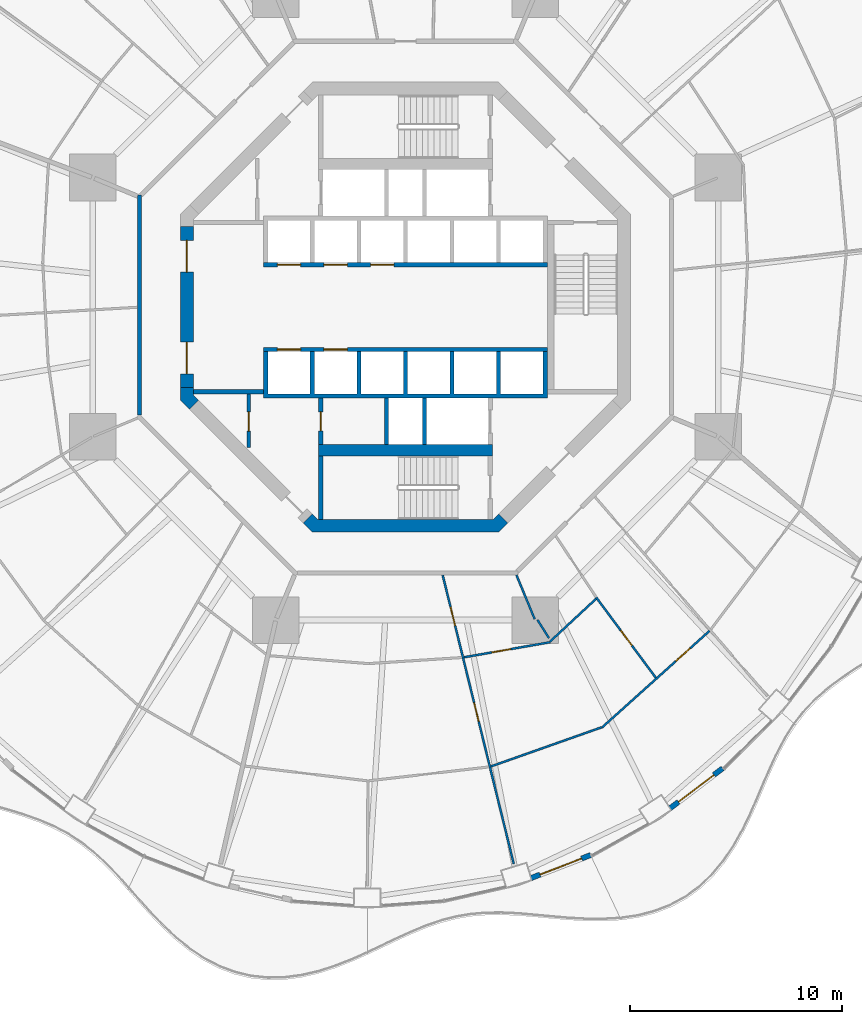
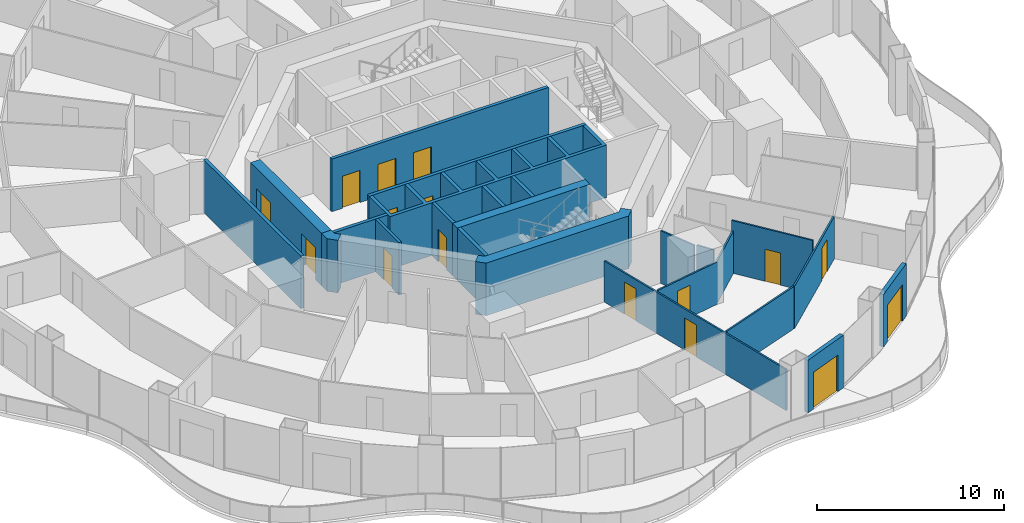
# One storey, part 15 of 22: 24 walls, 16 doors, 16 openings.
"""IFC4 building model written with IfcOpenShell, lengths in metres."""

from ifc_helpers import new_model, si_unit, direction, frame, frame_2d, origin, place, context, subcontext, project, spatial, polyline, rectangle, outline, extrude, material, layer, layer_set, type_object, element, fill, save


model = new_model("IFC4")

# Units and contexts
model_context = context("Model", 3, precision=1e-05, world=origin(), true_north=direction((0.0, 1.0)))
body_context = subcontext(model_context, "Body", "Model", "MODEL_VIEW")
ifc_project = project(units=[si_unit("LENGTHUNIT", "METRE"), si_unit("AREAUNIT", "SQUARE_METRE"), si_unit("VOLUMEUNIT", "CUBIC_METRE"), si_unit("PLANEANGLEUNIT", "RADIAN"), si_unit("MASSUNIT", "GRAM", prefix="KILO")], contexts=[model_context])

# Site, building, storey
site_placement = place(None, origin())
site = spatial("IfcSite", under=ifc_project, at=site_placement, CompositionType="ELEMENT")
building_placement = place(site_placement, origin())
building = spatial("IfcBuilding", under=site, at=building_placement, Name="Nagisa Residences", CompositionType="ELEMENT")
storey_placement = place(building_placement, frame((0.0, 0.0, 95.5)))
storey = spatial("IfcBuildingStorey", under=building, at=storey_placement, Name="L23", CompositionType="ELEMENT", Elevation=95.5)

# Wall
ifc_material_1 = material(Name="Gypsum board on steel studs", Category="steel")
ifc_layer_1 = layer(ifc_material_1, 0.199951171875)
ifc_layer_set_1 = layer_set([ifc_layer_1], Name="Apartment entry wall EI60 200")
wall_type_1 = type_object("IfcWallType", Name="Apartment entry wall EI60 200", PredefinedType="PARTITIONING", material=ifc_layer_set_1)
wall_1_placement = place(storey_placement, frame((-12.564697265625, 5.304443359375, 0.0), z_axis=(0.0, 0.0, 1.0), x_axis=(0.0, -1.0, 0.0)))
element("IfcWall", 1, at=wall_1_placement, inside=storey, type_object=wall_type_1, Name="wall:L23:u14", PredefinedType="PARTITIONING", context=body_context, shape_type="SweptSolid", body=[
    extrude(rectangle(XDim=10.408935546875, YDim=0.199951171875, at=frame_2d((5.20458984375, 0.0))), origin(), (0.0, 0.0, 1.0), 3.43994140625),
])

# Wall, openings, doors
ifc_material_2 = material(Name="Gypsum board on steel studs", Category="steel")
ifc_layer_2 = layer(ifc_material_2, 0.10009765625)
ifc_layer_set_2 = layer_set([ifc_layer_2], Name="Apartment partition 100")
wall_type_2 = type_object("IfcWallType", Name="Apartment partition 100", PredefinedType="PARTITIONING", material=ifc_layer_set_2)
wall_2_placement = place(storey_placement, frame((1.7587890625, -12.661865234375, 0.0), z_axis=(0.0, 0.0, 1.0), x_axis=(0.239021819854, -0.971014196412, 0.0)))
wall_2 = element("IfcWall", 2, at=wall_2_placement, inside=storey, type_object=wall_type_2, Name="wall:L23:u77", PredefinedType="PARTITIONING", context=body_context, shape_type="SweptSolid", body=[
    extrude(rectangle(XDim=14.049560546875, YDim=0.10009765625, at=frame_2d((7.02490234375, 0.0))), origin(), (0.0, 0.0, 1.0), 2.68701171875),
])
opening_1_placement = place(wall_2_placement, frame((6.213623046875, 0.0, 0.0)))
opening_1 = element("IfcOpeningElement", 3, at=opening_1_placement, cuts=wall_2, Name="Opening L23-U23", PredefinedType="OPENING", context=body_context, shape_type="SweptSolid", body=[
    extrude(rectangle(XDim=0.89990234375, YDim=2.10009765625, at=frame_2d((0.449951171875, 1.050048828125))), frame((0.0, 0.06005859375, 0.0), z_axis=(0.0, -1.0, 0.0), x_axis=(1.0, 0.0, 0.0)), (0.0, 0.0, 1.0), 0.1201171875),
])
opening_2_placement = place(wall_2_placement, frame((1.552001953125, 0.0, 0.0)))
opening_2 = element("IfcOpeningElement", 4, at=opening_2_placement, cuts=wall_2, Name="Opening L23-U27", PredefinedType="OPENING", context=body_context, shape_type="SweptSolid", body=[
    extrude(rectangle(XDim=0.89990234375, YDim=2.10009765625, at=frame_2d((0.449951171875, 1.050048828125))), frame((0.0, 0.06005859375, 0.0), z_axis=(0.0, -1.0, 0.0), x_axis=(1.0, 0.0, 0.0)), (0.0, 0.0, 1.0), 0.1201171875),
])
ifc_material_3 = material(Name="Timber door set", Category="wood")
door_type_1 = type_object("IfcDoorType", Name="Apartment door 900x2100", OperationType="NOTDEFINED", PredefinedType="DOOR", material=ifc_material_3)
door_1_placement = place(opening_1_placement, frame((0.89990234375, 0.0, 0.0), x_axis=(-1.0, 0.0, 0.0)))
door_1 = element("IfcDoor", 5, at=door_1_placement, inside=storey, type_object=door_type_1, Name="Door to dining room, Apartment 23B", OperationType="SINGLE_SWING_RIGHT", OverallHeight=2.10009765625, OverallWidth=0.89990234375, PredefinedType="DOOR", context=body_context, shape_type="SweptSolid", body=[
    extrude(rectangle(XDim=0.89990234375, YDim=2.10009765625, at=frame_2d((0.449951171875, 1.050048828125))), frame((0.0, 0.02490234375, 0.0), z_axis=(0.0, -1.0, 0.0), x_axis=(1.0, 0.0, 0.0)), (0.0, 0.0, 1.0), 0.050048828125),
])
fill(opening_1, door_1)
door_2_placement = place(opening_2_placement, frame((0.89990234375, 0.0, 0.0), x_axis=(-1.0, 0.0, 0.0)))
door_2 = element("IfcDoor", 6, at=door_2_placement, inside=storey, type_object=door_type_1, Name="Door to store, Apartment 23B", OperationType="SINGLE_SWING_RIGHT", OverallHeight=2.10009765625, OverallWidth=0.89990234375, PredefinedType="DOOR", context=body_context, shape_type="SweptSolid", body=[
    extrude(rectangle(XDim=0.89990234375, YDim=2.10009765625, at=frame_2d((0.449951171875, 1.050048828125))), frame((0.0, 0.02490234375, 0.0), z_axis=(0.0, -1.0, 0.0), x_axis=(1.0, 0.0, 0.0)), (0.0, 0.0, 1.0), 0.050048828125),
])
fill(opening_2, door_2)

# Wall, opening, door
wall_3_placement = place(storey_placement, frame((2.76513671875, -16.541015625, 0.0), z_axis=(0.0, 0.0, 1.0), x_axis=(0.984998612286, 0.172562260633, 0.0)))
wall_3 = element("IfcWall", 7, at=wall_3_placement, inside=storey, type_object=wall_type_2, Name="wall:L23:u78", PredefinedType="PARTITIONING", context=body_context, shape_type="SweptSolid", body=[
    extrude(rectangle(XDim=4.134033203125, YDim=0.10009765625, at=frame_2d((2.06689453125, 0.0))), origin(), (0.0, 0.0, 1.0), 2.761962890625),
])
opening_3_placement = place(wall_3_placement, frame((1.343505859375, 0.0, 0.0)))
opening_3 = element("IfcOpeningElement", 8, at=opening_3_placement, cuts=wall_3, Name="Opening L23-U22", PredefinedType="OPENING", context=body_context, shape_type="SweptSolid", body=[
    extrude(rectangle(XDim=0.89990234375, YDim=2.10009765625, at=frame_2d((0.449951171875, 1.050048828125))), frame((0.0, 0.06005859375, 0.0), z_axis=(0.0, -1.0, 0.0), x_axis=(1.0, 0.0, 0.0)), (0.0, 0.0, 1.0), 0.1201171875),
])
door_3_placement = place(opening_3_placement, origin())
door_3 = element("IfcDoor", 9, at=door_3_placement, inside=storey, type_object=door_type_1, Name="Door to laundry, Apartment 23B", OperationType="SINGLE_SWING_RIGHT", OverallHeight=2.10009765625, OverallWidth=0.89990234375, PredefinedType="DOOR", context=body_context, shape_type="SweptSolid", body=[
    extrude(rectangle(XDim=0.89990234375, YDim=2.10009765625, at=frame_2d((0.449951171875, 1.050048828125))), frame((0.0, 0.02490234375, 0.0), z_axis=(0.0, -1.0, 0.0), x_axis=(1.0, 0.0, 0.0)), (0.0, 0.0, 1.0), 0.050048828125),
])
fill(opening_3, door_3)

# Walls
wall_4_placement = place(storey_placement, frame((4.034423828125, -21.698486328125, 0.0), z_axis=(0.0, 0.0, 1.0), x_axis=(0.942864271692, 0.333177077794, 0.0)))
element("IfcWall", 10, at=wall_4_placement, inside=storey, type_object=wall_type_2, Name="wall:L23:u79", PredefinedType="PARTITIONING", context=body_context, shape_type="SweptSolid", body=[
    extrude(rectangle(XDim=5.544921875, YDim=0.10009765625, at=frame_2d((2.7724609375, 0.0))), origin(), (0.0, 0.0, 1.0), 2.761962890625),
])
wall_5_placement = place(storey_placement, frame((5.24267578125, -12.6572265625, 0.0), z_axis=(0.0, 0.0, 1.0), x_axis=(0.382719158442, -0.923864733477, 0.0)))
element("IfcWall", 11, at=wall_5_placement, inside=storey, type_object=wall_type_2, Name="wall:L23:u80", PredefinedType="PARTITIONING", context=body_context, shape_type="SweptSolid", body=[
    extrude(rectangle(XDim=2.25, YDim=0.10009765625, at=frame_2d((1.125, 0.0))), origin(), (0.0, 0.0, 1.0), 3.43994140625),
])
wall_6_placement = place(storey_placement, frame((6.824462890625, -15.80224609375, 0.0), z_axis=(0.0, 0.0, 1.0), x_axis=(0.733007232109, 0.680220844782, 0.0)))
element("IfcWall", 12, at=wall_6_placement, inside=storey, type_object=wall_type_2, Name="wall:L23:u81", PredefinedType="PARTITIONING", context=body_context, shape_type="SweptSolid", body=[
    extrude(rectangle(XDim=2.96923828125, YDim=0.10009765625, at=frame_2d((1.484619140625, 0.0))), origin(), (0.0, 0.0, 1.0), 2.761962890625),
])

# Wall, opening, door
wall_7_placement = place(storey_placement, frame((9.2724609375, -19.86767578125, 0.0), z_axis=(0.0, 0.0, 1.0), x_axis=(0.743884413566, 0.668308296562, 0.0)))
wall_7 = element("IfcWall", 13, at=wall_7_placement, inside=storey, type_object=wall_type_2, Name="wall:L23:u82", PredefinedType="PARTITIONING", context=body_context, shape_type="SweptSolid", body=[
    extrude(rectangle(XDim=6.84521484375, YDim=0.10009765625, at=frame_2d((3.422607421875, 0.0))), origin(), (0.0, 0.0, 1.0), 2.761962890625),
])
opening_4_placement = place(wall_7_placement, frame((4.708984375, 0.0, 0.0)))
opening_4 = element("IfcOpeningElement", 14, at=opening_4_placement, cuts=wall_7, Name="Opening L23-U20", PredefinedType="OPENING", context=body_context, shape_type="SweptSolid", body=[
    extrude(rectangle(XDim=0.89990234375, YDim=2.10009765625, at=frame_2d((0.449951171875, 1.050048828125))), frame((0.0, 0.06005859375, 0.0), z_axis=(0.0, -1.0, 0.0), x_axis=(1.0, 0.0, 0.0)), (0.0, 0.0, 1.0), 0.1201171875),
])
door_4_placement = place(opening_4_placement, frame((0.89990234375, 0.0, 0.0), x_axis=(-1.0, 0.0, 0.0)))
door_4 = element("IfcDoor", 15, at=door_4_placement, inside=storey, type_object=door_type_1, Name="Door to living room, Apartment 23B", OperationType="SINGLE_SWING_LEFT", OverallHeight=2.10009765625, OverallWidth=0.89990234375, PredefinedType="DOOR", context=body_context, shape_type="SweptSolid", body=[
    extrude(rectangle(XDim=0.89990234375, YDim=2.10009765625, at=frame_2d((0.449951171875, 1.050048828125))), frame((0.0, 0.02490234375, 0.0), z_axis=(0.0, -1.0, 0.0), x_axis=(1.0, 0.0, 0.0)), (0.0, 0.0, 1.0), 0.050048828125),
])
fill(opening_4, door_4)

wall_8_placement = place(storey_placement, frame((9.0078125, -13.70849609375, 0.0), z_axis=(0.0, 0.0, 1.0), x_axis=(0.595845850207, -0.803098825047, 0.0)))
wall_8 = element("IfcWall", 16, at=wall_8_placement, inside=storey, type_object=wall_type_2, Name="wall:L23:u84", PredefinedType="PARTITIONING", context=body_context, shape_type="SweptSolid", body=[
    extrude(rectangle(XDim=4.7294921875, YDim=0.10009765625, at=frame_2d((2.36474609375, 0.0))), origin(), (0.0, 0.0, 1.0), 3.43994140625),
])
opening_5_placement = place(wall_8_placement, frame((1.939697265625, 0.0, 0.0)))
opening_5 = element("IfcOpeningElement", 17, at=opening_5_placement, cuts=wall_8, Name="Opening L23-U18", PredefinedType="OPENING", context=body_context, shape_type="SweptSolid", body=[
    extrude(rectangle(XDim=0.89990234375, YDim=2.10009765625, at=frame_2d((0.449951171875, 1.050048828125))), frame((0.0, 0.06005859375, 0.0), z_axis=(0.0, -1.0, 0.0), x_axis=(1.0, 0.0, 0.0)), (0.0, 0.0, 1.0), 0.1201171875),
])
door_5_placement = place(opening_5_placement, frame((0.89990234375, 0.0, 0.0), x_axis=(-1.0, 0.0, 0.0)))
door_5 = element("IfcDoor", 18, at=door_5_placement, inside=storey, type_object=door_type_1, Name="Door to kitchen, Apartment 23B", OperationType="SINGLE_SWING_LEFT", OverallHeight=2.10009765625, OverallWidth=0.89990234375, PredefinedType="DOOR", context=body_context, shape_type="SweptSolid", body=[
    extrude(rectangle(XDim=0.89990234375, YDim=2.10009765625, at=frame_2d((0.449951171875, 1.050048828125))), frame((0.0, 0.02490234375, 0.0), z_axis=(0.0, -1.0, 0.0), x_axis=(1.0, 0.0, 0.0)), (0.0, 0.0, 1.0), 0.050048828125),
])
fill(opening_5, door_5)

# Wall
wall_9_placement = place(storey_placement, frame((6.781005859375, -15.637939453125, 0.0), z_axis=(0.0, 0.0, 1.0), x_axis=(-0.533419461524, 0.845850860417, 0.0)))
element("IfcWall", 19, at=wall_9_placement, inside=storey, type_object=wall_type_2, Name="wall:L23:u91", PredefinedType="PARTITIONING", context=body_context, shape_type="SweptSolid", body=[
    extrude(rectangle(XDim=1.025146484375, YDim=0.10009765625, at=frame_2d((0.5126953125, 0.0))), origin(), (0.0, 0.0, 1.0), 3.43994140625),
])

# Wall, opening, door
ifc_material_4 = material(Name="Precast concrete C40/50", Category="concrete")
ifc_layer_3 = layer(ifc_material_4, 0.25)
ifc_layer_set_3 = layer_set([ifc_layer_3], Name="BALCONY DOOR WALL 250")
wall_type_3 = type_object("IfcWallType", Name="BALCONY DOOR WALL 250", PredefinedType="SOLIDWALL", material=ifc_layer_set_3)
wall_10_placement = place(storey_placement, frame((8.75341796875, -25.8818359375, 0.0), z_axis=(0.0, 0.0, 1.0), x_axis=(-0.932837560624, -0.360297218263, 0.0)))
wall_10 = element("IfcWall", 20, at=wall_10_placement, inside=storey, type_object=wall_type_3, Name="wall:L23:bay38", PredefinedType="SOLIDWALL", context=body_context, shape_type="SweptSolid", body=[
    extrude(rectangle(XDim=3.027587890625, YDim=0.25, at=frame_2d((1.513671875, 0.0))), origin(), (0.0, 0.0, 1.0), 3.43994140625),
])
opening_6_placement = place(wall_10_placement, frame((0.463623046875, 0.0, 0.0)))
opening_6 = element("IfcOpeningElement", 21, at=opening_6_placement, cuts=wall_10, Name="Opening BD-L23-13", PredefinedType="OPENING", context=body_context, shape_type="SweptSolid", body=[
    extrude(rectangle(XDim=2.10009765625, YDim=2.39990234375, at=frame_2d((1.050048828125, 1.199951171875))), frame((0.0, 0.135009765625, 0.0), z_axis=(0.0, -1.0, 0.0), x_axis=(1.0, 0.0, 0.0)), (0.0, 0.0, 1.0), 0.27001953125),
])
ifc_material_5 = material(Name="Aluminium and clear glass", Category="aluminium")
door_type_2 = type_object("IfcDoorType", Name="BALCONY SLIDING DOOR 2100x2400", OperationType="SLIDING_TO_LEFT", PredefinedType="DOOR", material=ifc_material_5)
door_6_placement = place(opening_6_placement, origin())
door_6 = element("IfcDoor", 22, at=door_6_placement, inside=storey, type_object=door_type_2, Name="door:L23:bay38", OperationType="SLIDING_TO_LEFT", OverallHeight=2.39990234375, OverallWidth=2.10009765625, PredefinedType="DOOR", context=body_context, shape_type="SweptSolid", body=[
    extrude(rectangle(XDim=2.10009765625, YDim=2.39990234375, at=frame_2d((1.050048828125, 1.199951171875))), frame((0.0, 0.02490234375, 0.0), z_axis=(0.0, -1.0, 0.0), x_axis=(1.0, 0.0, 0.0)), (0.0, 0.0, 1.0), 0.050048828125),
])
fill(opening_6, door_6)

wall_11_placement = place(storey_placement, frame((14.98388671875, -21.785400390625, 0.0), z_axis=(0.0, 0.0, 1.0), x_axis=(-0.796037575978, -0.605247203736, 0.0)))
wall_11 = element("IfcWall", 23, at=wall_11_placement, inside=storey, type_object=wall_type_3, Name="wall:L23:bay40", PredefinedType="SOLIDWALL", context=body_context, shape_type="SweptSolid", body=[
    extrude(rectangle(XDim=3.1337890625, YDim=0.25, at=frame_2d((1.56689453125, 0.0))), origin(), (0.0, 0.0, 1.0), 3.43994140625),
])
opening_7_placement = place(wall_11_placement, frame((0.51708984375, 0.0, 0.0)))
opening_7 = element("IfcOpeningElement", 24, at=opening_7_placement, cuts=wall_11, Name="Opening BD-L23-14", PredefinedType="OPENING", context=body_context, shape_type="SweptSolid", body=[
    extrude(rectangle(XDim=2.10009765625, YDim=2.39990234375, at=frame_2d((1.050048828125, 1.199951171875))), frame((0.0, 0.135009765625, 0.0), z_axis=(0.0, -1.0, 0.0), x_axis=(1.0, 0.0, 0.0)), (0.0, 0.0, 1.0), 0.27001953125),
])
door_7_placement = place(opening_7_placement, origin())
door_7 = element("IfcDoor", 25, at=door_7_placement, inside=storey, type_object=door_type_2, Name="door:L23:bay40", OperationType="SLIDING_TO_LEFT", OverallHeight=2.39990234375, OverallWidth=2.10009765625, PredefinedType="DOOR", context=body_context, shape_type="SweptSolid", body=[
    extrude(rectangle(XDim=2.10009765625, YDim=2.39990234375, at=frame_2d((1.050048828125, 1.199951171875))), frame((0.0, 0.02490234375, 0.0), z_axis=(0.0, -1.0, 0.0), x_axis=(1.0, 0.0, 0.0)), (0.0, 0.0, 1.0), 0.050048828125),
])
fill(opening_7, door_7)

ifc_material_6 = material(Name="Gypsum board on steel studs", Category="steel")
ifc_layer_4 = layer(ifc_material_6, 0.14990234375)
ifc_layer_set_4 = layer_set([ifc_layer_4], Name="Core partition 150")
wall_type_4 = type_object("IfcWallType", Name="Core partition 150", PredefinedType="PARTITIONING", material=ifc_layer_set_4)
wall_12_placement = place(storey_placement, frame((-7.39990234375, -6.626953125, 0.0), z_axis=(0.0, 0.0, 1.0), x_axis=(0.0, 1.0, 0.0)))
wall_12 = element("IfcWall", 26, at=wall_12_placement, inside=storey, type_object=wall_type_4, Name="wall:L23:SWp", PredefinedType="PARTITIONING", context=body_context, shape_type="SweptSolid", body=[
    extrude(rectangle(XDim=2.52685546875, YDim=0.14990234375, at=frame_2d((1.263427734375, 0.0))), origin(), (0.0, 0.0, 1.0), 3.43994140625),
])
opening_8_placement = place(wall_12_placement, frame((0.77587890625, 0.0, 0.0)))
opening_8 = element("IfcOpeningElement", 27, at=opening_8_placement, cuts=wall_12, Name="Opening L23-C13", PredefinedType="OPENING", context=body_context, shape_type="SweptSolid", body=[
    extrude(rectangle(XDim=0.89990234375, YDim=2.10009765625, at=frame_2d((0.449951171875, 1.050048828125))), frame((0.0, 0.0849609375, 0.0), z_axis=(0.0, -1.0, 0.0), x_axis=(1.0, 0.0, 0.0)), (0.0, 0.0, 1.0), 0.169921875),
])
ifc_material_7 = material(Name="Steel fire door", Category="steel")
door_type_3 = type_object("IfcDoorType", Name="Fire door EI30 900x2100 single swing", OperationType="NOTDEFINED", PredefinedType="DOOR", material=ifc_material_7)
door_8_placement = place(opening_8_placement, origin())
door_8 = element("IfcDoor", 28, at=door_8_placement, inside=storey, type_object=door_type_3, Name="Valet store door L23", OperationType="SINGLE_SWING_LEFT", OverallHeight=2.10009765625, OverallWidth=0.89990234375, PredefinedType="DOOR", context=body_context, shape_type="SweptSolid", body=[
    extrude(rectangle(XDim=0.89990234375, YDim=2.10009765625, at=frame_2d((0.449951171875, 1.050048828125))), frame((0.0, 0.02490234375, 0.0), z_axis=(0.0, -1.0, 0.0), x_axis=(1.0, 0.0, 0.0)), (0.0, 0.0, 1.0), 0.050048828125),
])
fill(opening_8, door_8)

# Wall
ifc_material_8 = material(Name="Gypsum board on steel studs", Category="steel")
ifc_layer_5 = layer(ifc_material_8, 0.199951171875)
ifc_layer_set_5 = layer_set([ifc_layer_5], Name="Core partition 200")
wall_type_5 = type_object("IfcWallType", Name="Core partition 200", PredefinedType="PARTITIONING", material=ifc_layer_set_5)
wall_13_placement = place(storey_placement, frame((-10.024658203125, -4.0, 0.0), z_axis=(0.0, 0.0, 1.0), x_axis=(1.0, 0.0, 0.0)))
element("IfcWall", 29, at=wall_13_placement, inside=storey, type_object=wall_type_5, Name="wall:L23:PSW", PredefinedType="PARTITIONING", context=body_context, shape_type="SweptSolid", body=[
    extrude(rectangle(XDim=3.32470703125, YDim=0.199951171875, at=frame_2d((1.662353515625, 0.0))), origin(), (0.0, 0.0, 1.0), 3.43994140625),
])

# Wall, openings, doors
ifc_material_9 = material(Name="Concrete C60", Category="concrete")
ifc_layer_6 = layer(ifc_material_9, 0.60009765625)
ifc_layer_set_6 = layer_set([ifc_layer_6], Name="Core shear wall 600")
wall_type_6 = type_object("IfcWallType", Name="Core shear wall 600", PredefinedType="SHEAR", material=ifc_layer_set_6)
wall_14_placement = place(storey_placement, frame((-10.32470703125, 3.80078125, 0.0), z_axis=(0.0, 0.0, 1.0), x_axis=(0.0, -1.0, 0.0)))
wall_14 = element("IfcWall", 30, at=wall_14_placement, inside=storey, type_object=wall_type_6, Name="wall:L23:core:flat4", PredefinedType="SHEAR", context=body_context, shape_type="SweptSolid", body=[
    extrude(rectangle(XDim=7.6015625, YDim=0.60009765625, at=frame_2d((3.80078125, 0.0))), origin(), (0.0, 0.0, 1.0), 3.43994140625),
])
opening_9_placement = place(wall_14_placement, frame((0.65087890625, 0.0, 0.0)))
opening_9 = element("IfcOpeningElement", 31, at=opening_9_placement, cuts=wall_14, Name="Opening L23-C17", PredefinedType="OPENING", context=body_context, shape_type="SweptSolid", body=[
    extrude(rectangle(XDim=1.5, YDim=2.10009765625, at=frame_2d((0.75, 1.050048828125))), frame((0.0, 0.31005859375, 0.0), z_axis=(0.0, -1.0, 0.0), x_axis=(1.0, 0.0, 0.0)), (0.0, 0.0, 1.0), 0.6201171875),
])
opening_10_placement = place(wall_14_placement, frame((5.450927734375, 0.0, 0.0)))
opening_10 = element("IfcOpeningElement", 32, at=opening_10_placement, cuts=wall_14, Name="Opening L23-C18", PredefinedType="OPENING", context=body_context, shape_type="SweptSolid", body=[
    extrude(rectangle(XDim=1.5, YDim=2.10009765625, at=frame_2d((0.75, 1.050048828125))), frame((0.0, 0.31005859375, 0.0), z_axis=(0.0, -1.0, 0.0), x_axis=(1.0, 0.0, 0.0)), (0.0, 0.0, 1.0), 0.6201171875),
])
ifc_material_10 = material(Name="Steel fire door", Category="steel")
door_type_4 = type_object("IfcDoorType", Name="Fire door EI60 1500x2100 double door single swing", OperationType="DOUBLE_DOOR_SINGLE_SWING", PredefinedType="DOOR", material=ifc_material_10)
door_9_placement = place(opening_9_placement, origin())
door_9 = element("IfcDoor", 33, at=door_9_placement, inside=storey, type_object=door_type_4, Name="Lift lobby door L23 1", OperationType="DOUBLE_DOOR_SINGLE_SWING", OverallHeight=2.10009765625, OverallWidth=1.5, PredefinedType="DOOR", context=body_context, shape_type="SweptSolid", body=[
    extrude(rectangle(XDim=1.5, YDim=2.10009765625, at=frame_2d((0.75, 1.050048828125))), frame((0.0, 0.02490234375, 0.0), z_axis=(0.0, -1.0, 0.0), x_axis=(1.0, 0.0, 0.0)), (0.0, 0.0, 1.0), 0.050048828125),
])
fill(opening_9, door_9)
door_10_placement = place(opening_10_placement, origin())
door_10 = element("IfcDoor", 34, at=door_10_placement, inside=storey, type_object=door_type_4, Name="Lift lobby door L23 2", OperationType="DOUBLE_DOOR_SINGLE_SWING", OverallHeight=2.10009765625, OverallWidth=1.5, PredefinedType="DOOR", context=body_context, shape_type="SweptSolid", body=[
    extrude(rectangle(XDim=1.5, YDim=2.10009765625, at=frame_2d((0.75, 1.050048828125))), frame((0.0, 0.02490234375, 0.0), z_axis=(0.0, -1.0, 0.0), x_axis=(1.0, 0.0, 0.0)), (0.0, 0.0, 1.0), 0.050048828125),
])
fill(opening_10, door_10)

# Walls
wall_15_placement = place(storey_placement, origin())
element("IfcWall", 35, at=wall_15_placement, inside=storey, type_object=wall_type_6, Name="wall:L23:core:pier4", PredefinedType="SHEAR", context=body_context, shape_type="SweptSolid", body=[
    extrude(outline(polyline([(-10.62451171875, -3.80078125), (-10.024658203125, -3.80078125), (-10.024658203125, -4.15234375), (-9.776123046875, -4.40087890625), (-10.200439453125, -4.8251953125), (-10.62451171875, -4.40087890625), (-10.62451171875, -3.80078125)])), origin(), (0.0, 0.0, 1.0), 3.43994140625),
])
wall_16_placement = place(storey_placement, origin())
element("IfcWall", 36, at=wall_16_placement, inside=storey, type_object=wall_type_6, Name="wall:L23:core:flat6", PredefinedType="SHEAR", context=body_context, shape_type="SweptSolid", body=[
    extrude(outline(polyline([(-4.15234375, -10.024658203125), (4.15234375, -10.024658203125), (4.40087890625, -9.776123046875), (4.8251953125, -10.200439453125), (4.40087890625, -10.62451171875), (-4.40087890625, -10.62451171875), (-4.8251953125, -10.200439453125), (-4.40087890625, -9.776123046875), (-4.15234375, -10.024658203125)])), origin(), (0.0, 0.0, 1.0), 3.43994140625),
])

# Wall, openings, doors
ifc_material_11 = material(Name="Concrete C60", Category="concrete")
ifc_layer_7 = layer(ifc_material_11, 0.199951171875)
ifc_layer_set_7 = layer_set([ifc_layer_7], Name="Lift shaft wall 200")
wall_type_7 = type_object("IfcWallType", Name="Lift shaft wall 200", PredefinedType="SOLIDWALL", material=ifc_layer_set_7)
wall_17_placement = place(storey_placement, frame((-6.699951171875, 2.0, 0.0), z_axis=(0.0, 0.0, 1.0), x_axis=(1.0, 0.0, 0.0)))
wall_17 = element("IfcWall", 37, at=wall_17_placement, inside=storey, type_object=wall_type_7, Name="wall:L23:Nfront", PredefinedType="SOLIDWALL", context=body_context, shape_type="SweptSolid", body=[
    extrude(rectangle(XDim=13.39990234375, YDim=0.199951171875, at=frame_2d((6.699951171875, 0.0))), origin(), (0.0, 0.0, 1.0), 3.43994140625),
])
opening_11_placement = place(wall_17_placement, frame((0.64990234375, 0.0, 0.0)))
opening_11 = element("IfcOpeningElement", 38, at=opening_11_placement, cuts=wall_17, Name="Opening L23-C01", PredefinedType="OPENING", context=body_context, shape_type="SweptSolid", body=[
    extrude(rectangle(XDim=1.10009765625, YDim=2.10009765625, at=frame_2d((0.550048828125, 1.050048828125))), frame((0.0, 0.10986328125, 0.0), z_axis=(0.0, -1.0, 0.0), x_axis=(1.0, 0.0, 0.0)), (0.0, 0.0, 1.0), 0.219970703125),
])
opening_12_placement = place(wall_17_placement, frame((2.85009765625, 0.0, 0.0)))
opening_12 = element("IfcOpeningElement", 39, at=opening_12_placement, cuts=wall_17, Name="Opening L23-C02", PredefinedType="OPENING", context=body_context, shape_type="SweptSolid", body=[
    extrude(rectangle(XDim=1.10009765625, YDim=2.10009765625, at=frame_2d((0.550048828125, 1.050048828125))), frame((0.0, 0.10986328125, 0.0), z_axis=(0.0, -1.0, 0.0), x_axis=(1.0, 0.0, 0.0)), (0.0, 0.0, 1.0), 0.219970703125),
])
opening_13_placement = place(wall_17_placement, frame((5.050048828125, 0.0, 0.0)))
opening_13 = element("IfcOpeningElement", 40, at=opening_13_placement, cuts=wall_17, Name="Opening L23-C03", PredefinedType="OPENING", context=body_context, shape_type="SweptSolid", body=[
    extrude(rectangle(XDim=1.10009765625, YDim=2.10009765625, at=frame_2d((0.550048828125, 1.050048828125))), frame((0.0, 0.10986328125, 0.0), z_axis=(0.0, -1.0, 0.0), x_axis=(1.0, 0.0, 0.0)), (0.0, 0.0, 1.0), 0.219970703125),
])
ifc_material_12 = material(Name="Stainless steel", Category="steel")
door_type_5 = type_object("IfcDoorType", Name="Lift landing door 1100x2100", OperationType="DOUBLE_DOOR_SLIDING", PredefinedType="DOOR", material=ifc_material_12)
door_11_placement = place(opening_11_placement, origin())
door_11 = element("IfcDoor", 41, at=door_11_placement, inside=storey, type_object=door_type_5, Name="Landing door A1 L23", OperationType="DOUBLE_DOOR_SLIDING", OverallHeight=2.10009765625, OverallWidth=1.10009765625, PredefinedType="DOOR", context=body_context, shape_type="SweptSolid", body=[
    extrude(rectangle(XDim=1.10009765625, YDim=2.10009765625, at=frame_2d((0.550048828125, 1.050048828125))), frame((0.0, 0.02490234375, 0.0), z_axis=(0.0, -1.0, 0.0), x_axis=(1.0, 0.0, 0.0)), (0.0, 0.0, 1.0), 0.050048828125),
])
fill(opening_11, door_11)
door_12_placement = place(opening_12_placement, origin())
door_12 = element("IfcDoor", 42, at=door_12_placement, inside=storey, type_object=door_type_5, Name="Landing door A2 L23", OperationType="DOUBLE_DOOR_SLIDING", OverallHeight=2.10009765625, OverallWidth=1.10009765625, PredefinedType="DOOR", context=body_context, shape_type="SweptSolid", body=[
    extrude(rectangle(XDim=1.10009765625, YDim=2.10009765625, at=frame_2d((0.550048828125, 1.050048828125))), frame((0.0, 0.02490234375, 0.0), z_axis=(0.0, -1.0, 0.0), x_axis=(1.0, 0.0, 0.0)), (0.0, 0.0, 1.0), 0.050048828125),
])
fill(opening_12, door_12)
door_13_placement = place(opening_13_placement, origin())
door_13 = element("IfcDoor", 43, at=door_13_placement, inside=storey, type_object=door_type_5, Name="Landing door A3 L23", OperationType="DOUBLE_DOOR_SLIDING", OverallHeight=2.10009765625, OverallWidth=1.10009765625, PredefinedType="DOOR", context=body_context, shape_type="SweptSolid", body=[
    extrude(rectangle(XDim=1.10009765625, YDim=2.10009765625, at=frame_2d((0.550048828125, 1.050048828125))), frame((0.0, 0.02490234375, 0.0), z_axis=(0.0, -1.0, 0.0), x_axis=(1.0, 0.0, 0.0)), (0.0, 0.0, 1.0), 0.050048828125),
])
fill(opening_13, door_13)

# Wall, opening, door
wall_18_placement = place(storey_placement, frame((-4.0, -6.5, 0.0), z_axis=(0.0, 0.0, 1.0), x_axis=(0.0, 1.0, 0.0)))
wall_18 = element("IfcWall", 44, at=wall_18_placement, inside=storey, type_object=wall_type_7, Name="wall:L23:Sb4", PredefinedType="SOLIDWALL", context=body_context, shape_type="SweptSolid", body=[
    extrude(rectangle(XDim=2.199951171875, YDim=0.199951171875, at=frame_2d((1.10009765625, 0.0))), origin(), (0.0, 0.0, 1.0), 3.43994140625),
])
opening_14_placement = place(wall_18_placement, frame((0.64990234375, 0.0, 0.0)))
opening_14 = element("IfcOpeningElement", 45, at=opening_14_placement, cuts=wall_18, Name="Opening L23-C14", PredefinedType="OPENING", context=body_context, shape_type="SweptSolid", body=[
    extrude(rectangle(XDim=0.89990234375, YDim=2.10009765625, at=frame_2d((0.449951171875, 1.050048828125))), frame((0.0, 0.10986328125, 0.0), z_axis=(0.0, -1.0, 0.0), x_axis=(1.0, 0.0, 0.0)), (0.0, 0.0, 1.0), 0.219970703125),
])
door_14_placement = place(opening_14_placement, frame((0.89990234375, 0.0, 0.0), x_axis=(-1.0, 0.0, 0.0)))
door_14 = element("IfcDoor", 46, at=door_14_placement, inside=storey, type_object=door_type_3, Name="Refuse room door L23", OperationType="SINGLE_SWING_RIGHT", OverallHeight=2.10009765625, OverallWidth=0.89990234375, PredefinedType="DOOR", context=body_context, shape_type="SweptSolid", body=[
    extrude(rectangle(XDim=0.89990234375, YDim=2.10009765625, at=frame_2d((0.449951171875, 1.050048828125))), frame((0.0, 0.02490234375, 0.0), z_axis=(0.0, -1.0, 0.0), x_axis=(1.0, 0.0, 0.0)), (0.0, 0.0, 1.0), 0.050048828125),
])
fill(opening_14, door_14)

# Wall, openings, doors
wall_19_placement = place(storey_placement, frame((-6.699951171875, -2.0, 0.0), z_axis=(0.0, 0.0, 1.0), x_axis=(1.0, 0.0, 0.0)))
wall_19 = element("IfcWall", 47, at=wall_19_placement, inside=storey, type_object=wall_type_7, Name="wall:L23:Sfront", PredefinedType="SOLIDWALL", context=body_context, shape_type="SweptSolid", body=[
    extrude(rectangle(XDim=13.39990234375, YDim=0.199951171875, at=frame_2d((6.699951171875, 0.0))), origin(), (0.0, 0.0, 1.0), 3.43994140625),
])
opening_15_placement = place(wall_19_placement, frame((0.64990234375, 0.0, 0.0)))
opening_15 = element("IfcOpeningElement", 48, at=opening_15_placement, cuts=wall_19, Name="Opening L23-C04", PredefinedType="OPENING", context=body_context, shape_type="SweptSolid", body=[
    extrude(rectangle(XDim=1.10009765625, YDim=2.10009765625, at=frame_2d((0.550048828125, 1.050048828125))), frame((0.0, 0.10986328125, 0.0), z_axis=(0.0, -1.0, 0.0), x_axis=(1.0, 0.0, 0.0)), (0.0, 0.0, 1.0), 0.219970703125),
])
opening_16_placement = place(wall_19_placement, frame((2.85009765625, 0.0, 0.0)))
opening_16 = element("IfcOpeningElement", 49, at=opening_16_placement, cuts=wall_19, Name="Opening L23-C05", PredefinedType="OPENING", context=body_context, shape_type="SweptSolid", body=[
    extrude(rectangle(XDim=1.10009765625, YDim=2.10009765625, at=frame_2d((0.550048828125, 1.050048828125))), frame((0.0, 0.10986328125, 0.0), z_axis=(0.0, -1.0, 0.0), x_axis=(1.0, 0.0, 0.0)), (0.0, 0.0, 1.0), 0.219970703125),
])
door_15_placement = place(opening_15_placement, origin())
door_15 = element("IfcDoor", 50, at=door_15_placement, inside=storey, type_object=door_type_5, Name="Landing door A4 L23", OperationType="DOUBLE_DOOR_SLIDING", OverallHeight=2.10009765625, OverallWidth=1.10009765625, PredefinedType="DOOR", context=body_context, shape_type="SweptSolid", body=[
    extrude(rectangle(XDim=1.10009765625, YDim=2.10009765625, at=frame_2d((0.550048828125, 1.050048828125))), frame((0.0, 0.02490234375, 0.0), z_axis=(0.0, -1.0, 0.0), x_axis=(1.0, 0.0, 0.0)), (0.0, 0.0, 1.0), 0.050048828125),
])
fill(opening_15, door_15)
door_16_placement = place(opening_16_placement, origin())
door_16 = element("IfcDoor", 51, at=door_16_placement, inside=storey, type_object=door_type_5, Name="Landing door A5 L23", OperationType="DOUBLE_DOOR_SLIDING", OverallHeight=2.10009765625, OverallWidth=1.10009765625, PredefinedType="DOOR", context=body_context, shape_type="SweptSolid", body=[
    extrude(rectangle(XDim=1.10009765625, YDim=2.10009765625, at=frame_2d((0.550048828125, 1.050048828125))), frame((0.0, 0.02490234375, 0.0), z_axis=(0.0, -1.0, 0.0), x_axis=(1.0, 0.0, 0.0)), (0.0, 0.0, 1.0), 0.050048828125),
])
fill(opening_16, door_16)

# Walls
for number, where, z_axis, x_axis, name in (
    (52, (-0.89990234375, -6.5, 0.0), (0.0, 0.0, 1.0), (0.0, 1.0, 0.0), "wall:L23:Sb1"),
    (53, (0.89990234375, -6.5, 0.0), (0.0, 0.0, 1.0), (0.0, 1.0, 0.0), "wall:L23:Sb2"),
):
    element("IfcWall", number, at=place(storey_placement, frame(where, z_axis=z_axis, x_axis=x_axis)), inside=storey, type_object=wall_type_7, Name=name, PredefinedType="SOLIDWALL", context=body_context, shape_type="SweptSolid", body=[
        extrude(rectangle(XDim=2.199951171875, YDim=0.199951171875, at=frame_2d((1.10009765625, 0.0))), origin(), (0.0, 0.0, 1.0), 3.43994140625),
    ])
wall_20_placement = place(storey_placement, origin())
element("IfcWall", 54, at=wall_20_placement, inside=storey, type_object=wall_type_7, Name="wall:L23:Sback", PredefinedType="SOLIDWALL", context=body_context, shape_type="SweptSolid", body=[
    extrude(outline(polyline([(-6.699951171875, -2.10009765625), (-6.5, -2.10009765625), (-6.5, -4.10009765625), (-4.5, -4.10009765625), (-4.5, -2.10009765625), (-4.300048828125, -2.10009765625), (-4.300048828125, -4.10009765625), (-2.300048828125, -4.10009765625), (-2.300048828125, -2.10009765625), (-2.10009765625, -2.10009765625), (-2.10009765625, -4.10009765625), (-0.10009765625, -4.10009765625), (-0.10009765625, -2.10009765625), (0.10009765625, -2.10009765625), (0.10009765625, -4.10009765625), (2.10009765625, -4.10009765625), (2.10009765625, -2.10009765625), (2.300048828125, -2.10009765625), (2.300048828125, -4.10009765625), (4.300048828125, -4.10009765625), (4.300048828125, -2.10009765625), (4.5, -2.10009765625), (4.5, -4.10009765625), (6.5, -4.10009765625), (6.5, -2.10009765625), (6.699951171875, -2.10009765625), (6.699951171875, -4.300048828125), (-6.699951171875, -4.300048828125), (-6.699951171875, -2.10009765625)])), origin(), (0.0, 0.0, 1.0), 3.43994140625),
])
ifc_material_13 = material(Name="Concrete C60", Category="concrete")
ifc_layer_8 = layer(ifc_material_13, 0.199951171875)
ifc_layer_set_8 = layer_set([ifc_layer_8], Name="Stair enclosure wall 200")
wall_type_8 = type_object("IfcWallType", Name="Stair enclosure wall 200", PredefinedType="SOLIDWALL", material=ifc_layer_set_8)
wall_21_placement = place(storey_placement, origin())
element("IfcWall", 55, at=wall_21_placement, inside=storey, type_object=wall_type_8, Name="wall:L23:SS_w", PredefinedType="SOLIDWALL", context=body_context, shape_type="SweptSolid", body=[
    extrude(outline(polyline([(-3.89990234375, -10.024658203125), (-4.10009765625, -10.024658203125), (-4.10009765625, -7.024658203125), (-3.89990234375, -7.024658203125), (-3.89990234375, -10.024658203125)])), origin(), (0.0, 0.0, 1.0), 3.43994140625),
])
wall_22_placement = place(storey_placement, origin())
element("IfcWall", 56, at=wall_22_placement, inside=storey, type_object=wall_type_8, Name="wall:L23:SS_n", PredefinedType="SOLIDWALL", context=body_context, shape_type="SweptSolid", body=[
    extrude(outline(polyline([(4.10009765625, -7.024658203125), (-4.10009765625, -7.024658203125), (-4.10009765625, -6.5), (4.10009765625, -6.5), (4.10009765625, -7.024658203125)])), origin(), (0.0, 0.0, 1.0), 3.43994140625),
])

save(model, "model.ifc")
